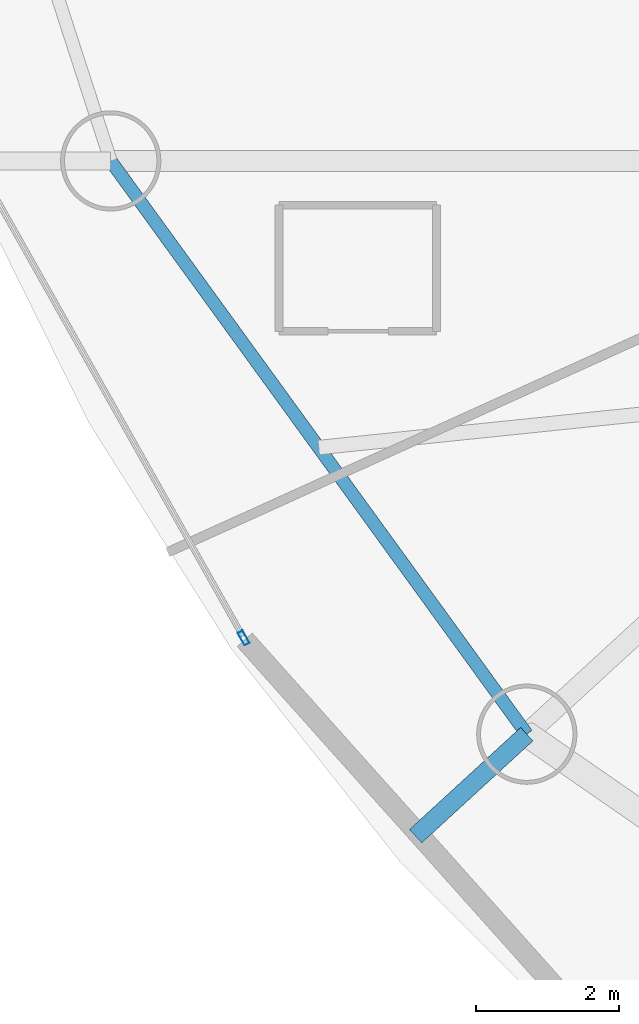
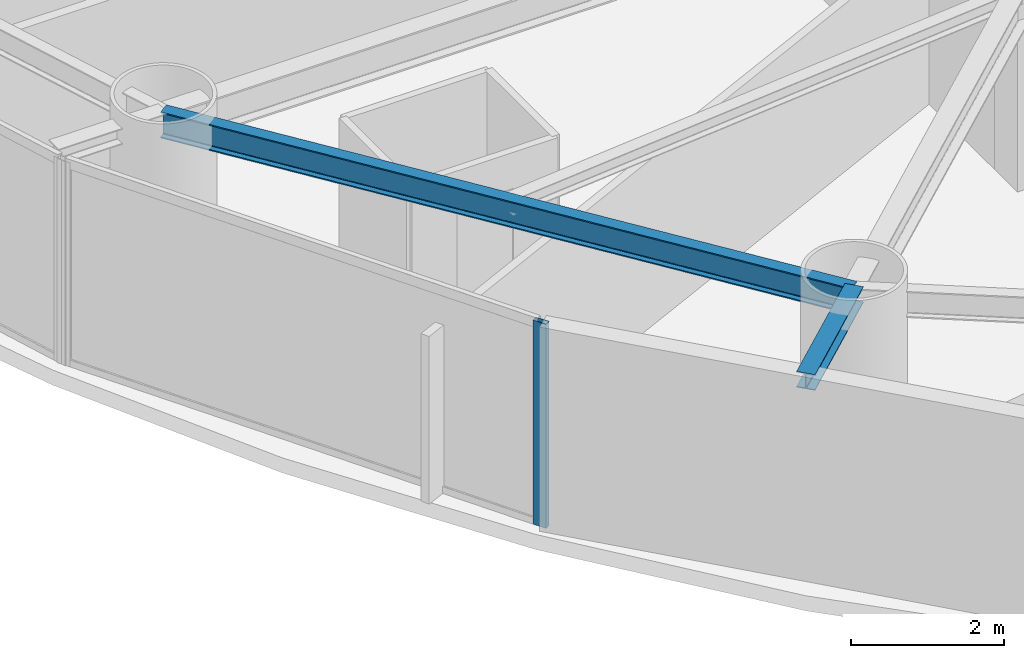
# One storey, part 2 of 22: 2 beams, 1 member, 1 element without a shape of its own.
"""IFC4 building model written with IfcOpenShell, lengths in metres."""

from ifc_helpers import new_model, si_unit, direction, frame, origin, origin_2d, place, context, subcontext, project, spatial, hollow_rectangle, i_section, extrude, material, layer, layer_set, material_profile, profile_set, type_object, element, aggregate, save


model = new_model("IFC4")

# Units and contexts
model_context = context("Model", 3, precision=1e-05, world=origin(), true_north=direction((0.0, 1.0)))
body_context = subcontext(model_context, "Body", "Model", "MODEL_VIEW")
ifc_project = project(units=[si_unit("LENGTHUNIT", "METRE"), si_unit("AREAUNIT", "SQUARE_METRE"), si_unit("VOLUMEUNIT", "CUBIC_METRE"), si_unit("PLANEANGLEUNIT", "RADIAN"), si_unit("MASSUNIT", "GRAM", prefix="KILO")], contexts=[model_context])

# Site, building, storey
site_placement = place(None, origin())
site = spatial("IfcSite", under=ifc_project, at=site_placement, CompositionType="ELEMENT")
building_placement = place(site_placement, origin())
building = spatial("IfcBuilding", under=site, at=building_placement, Name="Bramvorn Convention Spire", CompositionType="ELEMENT")
storey_placement = place(building_placement, frame((0.0, 0.0, 137.800048828125)))
storey = spatial("IfcBuildingStorey", under=building, at=storey_placement, Name="L34", CompositionType="ELEMENT", Elevation=137.800048828125)

# Beams
ifc_material_1 = material(Name="Steel CSA G40.21 Grade 350 (350W)", Category="steel")
ifc_material_profile_1 = material_profile(ifc_material_1, i_section(OverallWidth=0.25390625, OverallDepth=0.2529296875, WebThickness=0.008544921875, FlangeThickness=0.01416015625, FilletRadius=0.011962890625, at=origin_2d()))
ifc_profile_set_1 = profile_set([ifc_material_profile_1], Name="Steel CSA G40.21 Grade 350 (350W) - W250X73")
beam_type_1 = type_object("IfcBeamType", Name="BM-W250X73", PredefinedType="BEAM", material=ifc_profile_set_1)
beam_1_placement = place(storey_placement, frame((21.465087890625, 13.700927734375, 3.133544921875), z_axis=(-0.736817316857, -0.676091888415, 0.0), x_axis=(0.676091888415, -0.736817316857, 0.0)))
element("IfcBeam", 1, at=beam_1_placement, inside=storey, type_object=beam_type_1, Name="L34 slab-edge cantilever tip beam MC12", PredefinedType="BEAM", context=body_context, shape_type="SweptSolid", body=[
    extrude(i_section(OverallWidth=0.25390625, OverallDepth=0.2529296875, WebThickness=0.008544921875, FlangeThickness=0.01416015625, FilletRadius=0.011962890625, at=origin_2d()), origin(), (0.0, 0.0, 1.0), 2.106689453125),
])
ifc_material_profile_2 = material_profile(ifc_material_1, i_section(OverallWidth=0.180908203125, OverallDepth=0.4169921875, WebThickness=0.010986328125, FlangeThickness=0.018310546875, FilletRadius=0.01611328125, at=origin_2d()))
ifc_profile_set_2 = profile_set([ifc_material_profile_2], Name="Steel CSA G40.21 Grade 350 (350W) - W410X85")
beam_type_2 = type_object("IfcBeamType", Name="BM-W410X85", PredefinedType="JOIST", material=ifc_profile_set_2)
beam_2_placement = place(storey_placement, frame((15.654296875, 21.706787109375, 3.051513671875), z_axis=(0.587401024629, -0.809296012757, 0.0), x_axis=(0.809296012757, 0.587401024629, 0.0)))
element("IfcBeam", 2, at=beam_2_placement, inside=storey, type_object=beam_type_2, Name="L34 mega-column ring beam 11", PredefinedType="JOIST", context=body_context, shape_type="SweptSolid", body=[
    extrude(i_section(OverallWidth=0.180908203125, OverallDepth=0.4169921875, WebThickness=0.010986328125, FlangeThickness=0.018310546875, FilletRadius=0.01611328125, at=origin_2d()), origin(), (0.0, 0.0, 1.0), 9.892333984375),
])

# Curtain wall, member
ifc_material_2 = material(Name="Anodised Bronze Unitised Curtain Wall", Category="aluminium")
ifc_layer = layer(ifc_material_2, 0.179931640625)
ifc_layer_set = layer_set([ifc_layer], Name="Anodised Bronze Unitised Curtain Wall - CW-HTL-FRIT")
curtain_wall_type = type_object("IfcCurtainWallType", Name="CW-HTL-FRIT", PredefinedType="USERDEFINED", material=ifc_layer_set)
curtain_wall_placement = place(storey_placement, origin())
curtain_wall = element("IfcCurtainWall", 3, at=curtain_wall_placement, inside=storey, type_object=curtain_wall_type, Name="L34 fritted glass curtain wall 16", ObjectType="UNITISED CURTAIN WALL", PredefinedType="USERDEFINED")
ifc_material_3 = material(Name="Anodised Bronze Aluminium 6063-T6", Category="aluminium")
ifc_material_profile_3 = material_profile(ifc_material_3, hollow_rectangle(XDim=0.080078125, YDim=0.199951171875, WallThickness=0.00390625, InnerFilletRadius=0.0009765625, OuterFilletRadius=0.00390625, at=origin_2d()))
ifc_profile_set_3 = profile_set([ifc_material_profile_3], Name="Anodised Bronze Aluminium 6063-T6 - CWM80X200")
member_type = type_object("IfcMemberType", Name="CW-MUL-180", PredefinedType="MULLION", material=ifc_profile_set_3)
member_placement = place(storey_placement, frame((17.511474609375, 15.045166015625, 0.0), z_axis=(0.0, 0.0, 1.0), x_axis=(-0.871437793754, -0.49050603627, 0.0)))
member = element("IfcMember", 4, at=member_placement, type_object=member_type, Name="CW2 mullion 1", PredefinedType="MULLION", context=body_context, shape_type="SweptSolid", body=[
    extrude(hollow_rectangle(XDim=0.080078125, YDim=0.199951171875, WallThickness=0.00390625, InnerFilletRadius=0.0009765625, OuterFilletRadius=0.00390625, at=origin_2d()), origin(), (0.0, 0.0, 1.0), 3.260009765625),
])
aggregate(curtain_wall, [member])

save(model, "model.ifc")
